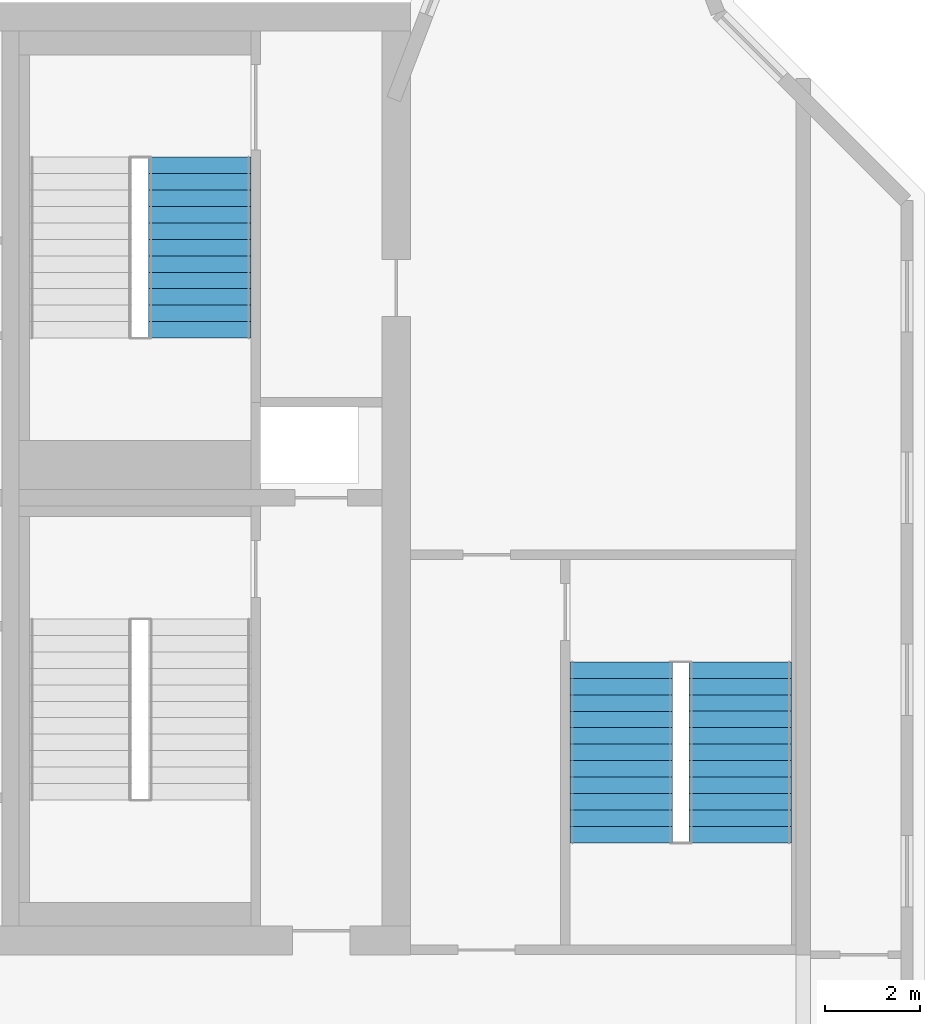
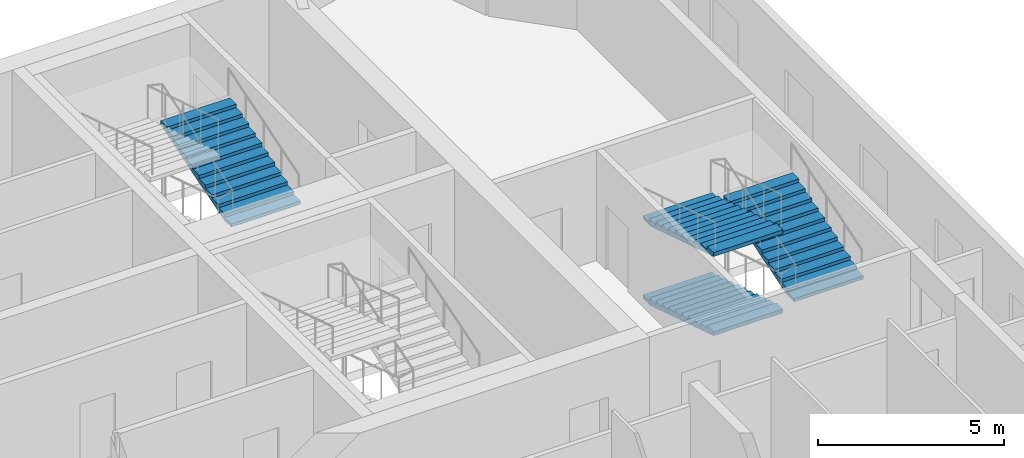
# One storey, part 9 of 11: 4 stair flights, 2 elements without a shape of their own.
"""IFC4 building model written with IfcOpenShell, lengths in metres."""

from ifc_helpers import new_model, si_unit, direction, frame, origin, place, context, subcontext, project, spatial, polyline, outline, extrude, source, transform, mapped, material, type_object, element, aggregate, save


model = new_model("IFC4")

# Units and contexts
model_context = context("Model", 3, precision=1e-05, world=origin(), true_north=direction((0.0, 1.0)))
body_context = subcontext(model_context, "Body", "Model", "MODEL_VIEW")
ifc_project = project(units=[si_unit("LENGTHUNIT", "METRE"), si_unit("AREAUNIT", "SQUARE_METRE"), si_unit("VOLUMEUNIT", "CUBIC_METRE"), si_unit("PLANEANGLEUNIT", "RADIAN"), si_unit("MASSUNIT", "GRAM", prefix="KILO")], contexts=[model_context])

# Site, building, storey
site_placement = place(None, origin())
site = spatial("IfcSite", under=ifc_project, at=site_placement, CompositionType="ELEMENT")
building_placement = place(site_placement, origin())
building = spatial("IfcBuilding", under=site, at=building_placement, Name="Vanashikhar Sky Hotel", CompositionType="ELEMENT")
storey_placement = place(building_placement, frame((0.0, 0.0, 256.89990234375)))
storey = spatial("IfcBuildingStorey", under=building, at=storey_placement, Name="L62", CompositionType="ELEMENT", Elevation=256.89990234375)

# Stair, stair flights
ifc_material = material(Name="Concrete M40", Category="concrete")
stair_type = type_object("IfcStairType", Name="Exit stair 2150", PredefinedType="DOUBLE_RETURN_STAIR", material=ifc_material)
stair_1_placement = place(storey_placement, origin())
stair_1 = element("IfcStair", 1, at=stair_1_placement, inside=storey, type_object=stair_type, Name="L62 Exit stair 4", PredefinedType="DOUBLE_RETURN_STAIR")
stair_flight_type = type_object("IfcStairFlightType", Name="Stair flight 2150", PredefinedType="STRAIGHT", material=ifc_material)
shared_shape = source(origin(), body_context, "Body", "SweptSolid", [
    extrude(outline(polyline([(0.0, 0.0), (0.0, 0.1083984375), (0.345458984375, 0.1083984375), (0.345458984375, 0.216552734375), (0.69091796875, 0.216552734375), (0.69091796875, 0.324951171875), (1.036376953125, 0.324951171875), (1.036376953125, 0.433349609375), (1.3818359375, 0.433349609375), (1.3818359375, 0.541748046875), (1.727294921875, 0.541748046875), (1.727294921875, 0.64990234375), (2.07275390625, 0.64990234375), (2.07275390625, 0.75830078125), (2.418212890625, 0.75830078125), (2.418212890625, 0.86669921875), (2.763671875, 0.86669921875), (2.763671875, 0.97509765625), (3.109130859375, 0.97509765625), (3.109130859375, 1.083251953125), (3.45458984375, 1.083251953125), (3.45458984375, 1.191650390625), (3.800048828125, 1.191650390625), (3.800048828125, 1.300048828125), (3.800048828125, 1.065673828125), (0.4013671875, 0.0), (0.0, 0.0)])), frame((0.0, 1.074951171875, 0.0), z_axis=(0.0, -1.0, 0.0), x_axis=(1.0, 0.0, 0.0)), (0.0, 0.0, 1.0), 2.14990234375),
])
stair_flight_1_placement = place(storey_placement, frame((80.02490234375, 28.14990234375, 0.0), z_axis=(0.0, 0.0, 1.0), x_axis=(0.0, -1.0, 0.0)))
stair_flight_1 = element("IfcStairFlight", 2, at=stair_flight_1_placement, type_object=stair_flight_type, Name="ST-E flight 1", NumberOfRisers=12, NumberOfTreads=11, PredefinedType="STRAIGHT", RiserHeight=0.108333333, TreadLength=0.345454545, context=body_context, shape_type="MappedRepresentation", body=[
    mapped(shared_shape, transform((0.0, 0.0, 0.0), scale=1.0)),
])
stair_flight_2_placement = place(storey_placement, frame((82.52490234375, 24.35009765625, 1.300048828125), z_axis=(0.0, 0.0, 1.0), x_axis=(0.0, 1.0, 0.0)))
stair_flight_2 = element("IfcStairFlight", 3, at=stair_flight_2_placement, type_object=stair_flight_type, Name="ST-E flight 2", NumberOfRisers=12, NumberOfTreads=11, PredefinedType="STRAIGHT", RiserHeight=0.108333333, TreadLength=0.345454545, context=body_context, shape_type="MappedRepresentation", body=[
    mapped(shared_shape, transform((0.0, 0.0, 0.0), scale=1.0)),
])
stair_flight_3_placement = place(storey_placement, frame((80.02490234375, 28.14990234375, 2.60009765625), z_axis=(0.0, 0.0, 1.0), x_axis=(0.0, -1.0, 0.0)))
stair_flight_3 = element("IfcStairFlight", 4, at=stair_flight_3_placement, type_object=stair_flight_type, Name="ST-E flight 3", NumberOfRisers=12, NumberOfTreads=11, PredefinedType="STRAIGHT", RiserHeight=0.108333333, TreadLength=0.345454545, context=body_context, shape_type="MappedRepresentation", body=[
    mapped(shared_shape, transform((0.0, 0.0, 0.0), scale=1.0)),
])
aggregate(stair_1, [stair_flight_1, stair_flight_2, stair_flight_3])

# Stair, stair flight
stair_2_placement = place(storey_placement, origin())
stair_2 = element("IfcStair", 5, at=stair_2_placement, inside=storey, type_object=stair_type, Name="L62 Exit stair 6", PredefinedType="DOUBLE_RETURN_STAIR")
stair_flight_4_placement = place(storey_placement, frame((71.175048828125, 34.949951171875, 1.300048828125), z_axis=(0.0, 0.0, 1.0), x_axis=(0.0, 1.0, 0.0)))
stair_flight_4 = element("IfcStairFlight", 6, at=stair_flight_4_placement, type_object=stair_flight_type, Name="ST-C4 flight 2", NumberOfRisers=12, NumberOfTreads=11, PredefinedType="STRAIGHT", RiserHeight=0.108333333, TreadLength=0.345454545, context=body_context, shape_type="MappedRepresentation", body=[
    mapped(shared_shape, transform((0.0, 0.0, 0.0), scale=1.0)),
])
aggregate(stair_2, [stair_flight_4])

save(model, "model.ifc")
